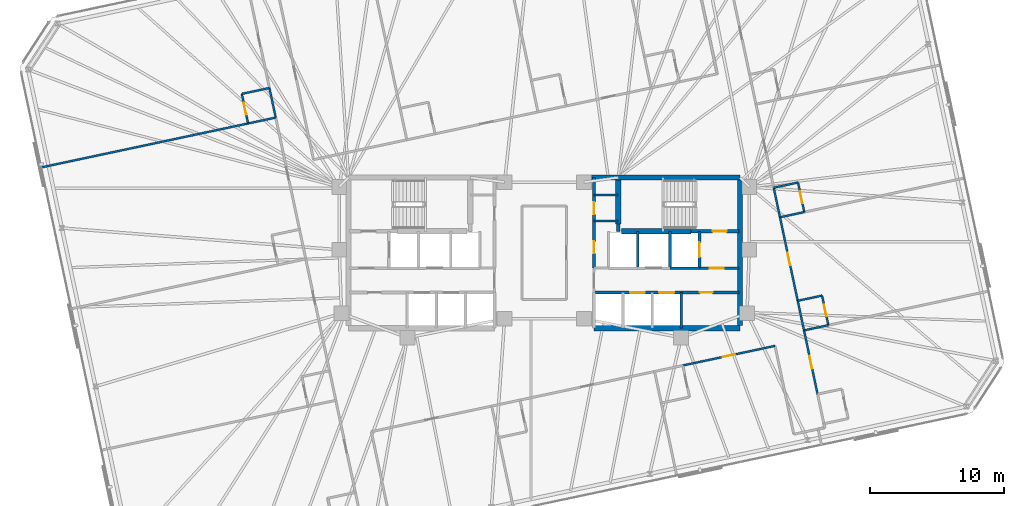
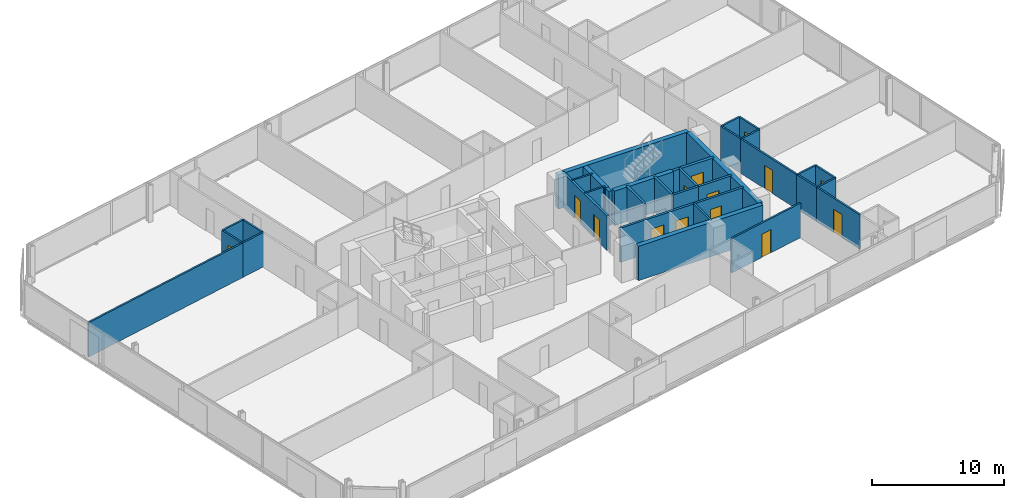
# One storey, part 16 of 19: 33 walls, 14 doors, 14 openings.
"""IFC4 building model written with IfcOpenShell, lengths in metres."""

from ifc_helpers import new_model, si_unit, direction, frame, frame_2d, origin, place, context, subcontext, project, spatial, rectangle, extrude, material, layer, layer_set, type_object, element, fill, save


model = new_model("IFC4")

# Units and contexts
model_context = context("Model", 3, precision=1e-05, world=origin(), true_north=direction((0.0, 1.0)))
body_context = subcontext(model_context, "Body", "Model", "MODEL_VIEW")
ifc_project = project(units=[si_unit("LENGTHUNIT", "METRE"), si_unit("AREAUNIT", "SQUARE_METRE"), si_unit("VOLUMEUNIT", "CUBIC_METRE"), si_unit("PLANEANGLEUNIT", "RADIAN"), si_unit("MASSUNIT", "GRAM", prefix="KILO")], contexts=[model_context])

# Site, building, storey
site_placement = place(None, origin())
site = spatial("IfcSite", under=ifc_project, at=site_placement, CompositionType="ELEMENT")
building_placement = place(site_placement, origin())
building = spatial("IfcBuilding", under=site, at=building_placement, Name="Menara Jurai Vektor", CompositionType="ELEMENT")
storey_placement = place(building_placement, frame((0.0, 0.0, 195.60009765625)))
storey = spatial("IfcBuildingStorey", under=building, at=storey_placement, Name="L51", CompositionType="ELEMENT", Elevation=195.60009765625)

# Wall, opening, door
ifc_material_1 = material(Name="Concrete C40/50", Category="concrete")
ifc_layer_1 = layer(ifc_material_1, 0.25)
ifc_layer_set_1 = layer_set([ifc_layer_1], Name="Concrete C40/50")
wall_type_1 = type_object("IfcWallType", Name="INT-WALL-CORE-250", PredefinedType="STANDARD", material=ifc_layer_set_1)
wall_1_placement = place(storey_placement, frame((10.89990234375, 1.60009765625, 0.0), z_axis=(0.0, 0.0, 1.0), x_axis=(1.0, 0.0, 0.0)))
wall_1 = element("IfcWall", 1, at=wall_1_placement, inside=storey, type_object=wall_type_1, Name="Interior Wall IW-250 L51", PredefinedType="STANDARD", context=body_context, shape_type="SweptSolid", body=[
    extrude(rectangle(XDim=3.60009765625, YDim=0.25, at=frame_2d((1.800048828125, 0.0))), origin(), (0.0, 0.0, 1.0), 3.1748046875),
])
opening_1_placement = place(wall_1_placement, frame((1.6201171875, 0.0, 0.0)))
opening_1 = element("IfcOpeningElement", 2, at=opening_1_placement, cuts=wall_1, Name="Opening D-L51-ST2", PredefinedType="OPENING", context=body_context, shape_type="SweptSolid", body=[
    extrude(rectangle(XDim=1.050048828125, YDim=2.14990234375, at=frame_2d((0.52490234375, 1.074951171875))), frame((0.0, 0.135009765625, 0.0), z_axis=(0.0, -1.0, 0.0), x_axis=(1.0, 0.0, 0.0)), (0.0, 0.0, 1.0), 0.27001953125),
])
ifc_material_2 = material(Name="Fire-Rated Steel Door", Category="steel")
door_type_1 = type_object("IfcDoorType", Name="DR-STAIR-1050", OperationType="NOTDEFINED", PredefinedType="DOOR", material=ifc_material_2)
door_1_placement = place(opening_1_placement, origin())
door_1 = element("IfcDoor", 3, at=door_1_placement, inside=storey, type_object=door_type_1, Name="Exit Stair ST2 Door L51", OperationType="SINGLE_SWING_LEFT", OverallHeight=2.14990234375, OverallWidth=1.050048828125, PredefinedType="DOOR", context=body_context, shape_type="SweptSolid", body=[
    extrude(rectangle(XDim=1.050048828125, YDim=2.14990234375, at=frame_2d((0.52490234375, 1.074951171875))), frame((0.0, 0.02490234375, 0.0), z_axis=(0.0, -1.0, 0.0), x_axis=(1.0, 0.0, 0.0)), (0.0, 0.0, 1.0), 0.050048828125),
])
fill(opening_1, door_1)

# Wall
wall_2_placement = place(storey_placement, frame((5.5, 1.60009765625, 0.0), z_axis=(0.0, 0.0, 1.0), x_axis=(0.0, 1.0, 0.0)))
element("IfcWall", 4, at=wall_2_placement, inside=storey, type_object=wall_type_1, Name="Interior Wall IW-250 L51", PredefinedType="STANDARD", context=body_context, shape_type="SweptSolid", body=[
    extrude(rectangle(XDim=0.5498046875, YDim=0.25, at=frame_2d((0.27490234375, 0.0))), origin(), (0.0, 0.0, 1.0), 3.1748046875),
])

# Wall, opening, door
wall_3_placement = place(storey_placement, frame((11.550048828125, -1.14990234375, 0.0), z_axis=(0.0, 0.0, 1.0), x_axis=(0.0, 1.0, 0.0)))
wall_3 = element("IfcWall", 5, at=wall_3_placement, inside=storey, type_object=wall_type_1, Name="Interior Wall IW-250 L51", PredefinedType="STANDARD", context=body_context, shape_type="SweptSolid", body=[
    extrude(rectangle(XDim=2.75, YDim=0.199951171875, at=frame_2d((1.375, 0.0))), origin(), (0.0, 0.0, 1.0), 3.1748046875),
])
opening_2_placement = place(wall_3_placement, frame((0.824951171875, 0.0, 0.0)))
opening_2 = element("IfcOpeningElement", 6, at=opening_2_placement, cuts=wall_3, Name="Opening LD-L51-FL2", PredefinedType="OPENING", context=body_context, shape_type="SweptSolid", body=[
    extrude(rectangle(XDim=1.10009765625, YDim=2.14990234375, at=frame_2d((0.550048828125, 1.074951171875))), frame((0.0, 0.10986328125, 0.0), z_axis=(0.0, -1.0, 0.0), x_axis=(1.0, 0.0, 0.0)), (0.0, 0.0, 1.0), 0.219970703125),
])
ifc_material_3 = material(Name="Stainless Steel Sliding Lift Landing Door", Category="steel")
door_type_2 = type_object("IfcDoorType", Name="DR-LIFT-FIRE-1100", OperationType="NOTDEFINED", PredefinedType="DOOR", material=ifc_material_3)
door_2_placement = place(opening_2_placement, origin())
door_2 = element("IfcDoor", 7, at=door_2_placement, inside=storey, type_object=door_type_2, Name="Lift Landing Door FL2 L51", OperationType="SLIDING_TO_RIGHT", OverallHeight=2.14990234375, OverallWidth=1.10009765625, PredefinedType="DOOR", context=body_context, shape_type="SweptSolid", body=[
    extrude(rectangle(XDim=1.10009765625, YDim=2.14990234375, at=frame_2d((0.550048828125, 1.074951171875))), frame((0.0, 0.02490234375, 0.0), z_axis=(0.0, -1.0, 0.0), x_axis=(1.0, 0.0, 0.0)), (0.0, 0.0, 1.0), 0.050048828125),
])
fill(opening_2, door_2)

# Wall
wall_4_placement = place(storey_placement, frame((9.35009765625, -1.14990234375, 0.0), z_axis=(0.0, 0.0, 1.0), x_axis=(0.0, 1.0, 0.0)))
element("IfcWall", 8, at=wall_4_placement, inside=storey, type_object=wall_type_1, Name="Interior Wall IW-250 L51", PredefinedType="STANDARD", context=body_context, shape_type="SweptSolid", body=[
    extrude(rectangle(XDim=2.75, YDim=0.199951171875, at=frame_2d((1.375, 0.0))), origin(), (0.0, 0.0, 1.0), 3.1748046875),
])

# Wall, opening, door
wall_5_placement = place(storey_placement, frame((11.550048828125, -1.14990234375, 0.0), z_axis=(0.0, 0.0, 1.0), x_axis=(1.0, 0.0, 0.0)))
wall_5 = element("IfcWall", 9, at=wall_5_placement, inside=storey, type_object=wall_type_1, Name="Interior Wall IW-250 L51", PredefinedType="STANDARD", context=body_context, shape_type="SweptSolid", body=[
    extrude(rectangle(XDim=2.949951171875, YDim=0.199951171875, at=frame_2d((1.47509765625, 0.0))), origin(), (0.0, 0.0, 1.0), 3.1748046875),
])
opening_3_placement = place(wall_5_placement, frame((0.75, 0.0, 0.0)))
opening_3 = element("IfcOpeningElement", 10, at=opening_3_placement, cuts=wall_5, Name="Opening D-L51-FFE", PredefinedType="OPENING", context=body_context, shape_type="SweptSolid", body=[
    extrude(rectangle(XDim=1.050048828125, YDim=2.179931640625, at=frame_2d((0.52490234375, 1.08984375))), frame((0.0, 0.10986328125, 0.0), z_axis=(0.0, -1.0, 0.0), x_axis=(1.0, 0.0, 0.0)), (0.0, 0.0, 1.0), 0.219970703125),
])
ifc_material_4 = material(Name="Fire-Rated Timber Door", Category="wood")
door_type_3 = type_object("IfcDoorType", Name="DR-LOBBY-1050", OperationType="NOTDEFINED", PredefinedType="DOOR", material=ifc_material_4)
door_3_placement = place(opening_3_placement, origin())
door_3 = element("IfcDoor", 11, at=door_3_placement, inside=storey, type_object=door_type_3, Name="Fire Lift Lobby Door E L51", OperationType="SINGLE_SWING_LEFT", OverallHeight=2.179931640625, OverallWidth=1.050048828125, PredefinedType="DOOR", context=body_context, shape_type="SweptSolid", body=[
    extrude(rectangle(XDim=1.050048828125, YDim=2.179931640625, at=frame_2d((0.52490234375, 1.08984375))), frame((0.0, 0.02490234375, 0.0), z_axis=(0.0, -1.0, 0.0), x_axis=(1.0, 0.0, 0.0)), (0.0, 0.0, 1.0), 0.050048828125),
])
fill(opening_3, door_3)

# Walls
wall_6_placement = place(storey_placement, frame((9.35009765625, -1.14990234375, 0.0), z_axis=(0.0, 0.0, 1.0), x_axis=(1.0, 0.0, 0.0)))
element("IfcWall", 12, at=wall_6_placement, inside=storey, type_object=wall_type_1, Name="Interior Wall IW-250 L51", PredefinedType="STANDARD", context=body_context, shape_type="SweptSolid", body=[
    extrude(rectangle(XDim=2.199951171875, YDim=0.199951171875, at=frame_2d((1.10009765625, 0.0))), origin(), (0.0, 0.0, 1.0), 3.1748046875),
])
ifc_material_5 = material(Name="Gypsum Fireboard Partition", Category="gypsum")
ifc_layer_2 = layer(ifc_material_5, 0.14990234375)
ifc_layer_set_2 = layer_set([ifc_layer_2], Name="Gypsum Fireboard Partition")
wall_type_2 = type_object("IfcWallType", Name="INT-WALL-CORR-150", PredefinedType="PARTITIONING", material=ifc_layer_set_2)
for number, where, z_axis, x_axis, name in (
    (13, (3.699951171875, 4.300048828125, 0.0), (0.0, 0.0, 1.0), (1.0, 0.0, 0.0), "Interior Wall IW-150 L51"),
    (14, (3.699951171875, 2.35009765625, 0.0), (0.0, 0.0, 1.0), (1.0, 0.0, 0.0), "Interior Wall IW-150 L51"),
):
    element("IfcWall", number, at=place(storey_placement, frame(where, z_axis=z_axis, x_axis=x_axis)), inside=storey, type_object=wall_type_2, Name=name, PredefinedType="PARTITIONING", context=body_context, shape_type="SweptSolid", body=[
        extrude(rectangle(XDim=1.800048828125, YDim=0.14990234375, at=frame_2d((0.89990234375, 0.0))), origin(), (0.0, 0.0, 1.0), 3.1748046875),
    ])

# Wall, opening, door
wall_7_placement = place(storey_placement, frame((10.30859375, -8.382080078125, 0.0), z_axis=(0.0, 0.0, 1.0), x_axis=(0.978149817889, 0.207901259648, 0.0)))
wall_7 = element("IfcWall", 15, at=wall_7_placement, inside=storey, type_object=wall_type_2, Name="Interior Wall IW-150 L51", PredefinedType="PARTITIONING", context=body_context, shape_type="SweptSolid", body=[
    extrude(rectangle(XDim=7.007080078125, YDim=0.14990234375, at=frame_2d((3.50341796875, 0.0))), origin(), (0.0, 0.0, 1.0), 3.1748046875),
])
opening_4_placement = place(wall_7_placement, frame((3.04345703125, 0.0, 0.0)))
opening_4 = element("IfcOpeningElement", 16, at=opening_4_placement, cuts=wall_7, Name="Opening D51-17", PredefinedType="OPENING", context=body_context, shape_type="SweptSolid", body=[
    extrude(rectangle(XDim=0.919921875, YDim=2.14990234375, at=frame_2d((0.4599609375, 1.074951171875))), frame((0.0, 0.0849609375, 0.0), z_axis=(0.0, -1.0, 0.0), x_axis=(1.0, 0.0, 0.0)), (0.0, 0.0, 1.0), 0.169921875),
])
ifc_material_6 = material(Name="Solid Core Timber Fire Door", Category="wood")
door_type_4 = type_object("IfcDoorType", Name="DR-ENTRY-950", OperationType="NOTDEFINED", PredefinedType="DOOR", material=ifc_material_6)
door_4_placement = place(opening_4_placement, origin())
door_4 = element("IfcDoor", 17, at=door_4_placement, inside=storey, type_object=door_type_4, Name="Interior Door D51-17", OperationType="SINGLE_SWING_RIGHT", OverallHeight=2.14990234375, OverallWidth=0.919921875, PredefinedType="DOOR", context=body_context, shape_type="SweptSolid", body=[
    extrude(rectangle(XDim=0.919921875, YDim=2.14990234375, at=frame_2d((0.4599609375, 1.074951171875))), frame((0.0, 0.02490234375, 0.0), z_axis=(0.0, -1.0, 0.0), x_axis=(1.0, 0.0, 0.0)), (0.0, 0.0, 1.0), 0.050048828125),
])
fill(opening_4, door_4)

# Wall
wall_8_placement = place(storey_placement, frame((-19.974365234375, 10.0546875, 0.0), z_axis=(0.0, 0.0, 1.0), x_axis=(-0.207913264065, 0.978147266328, 0.0)))
element("IfcWall", 18, at=wall_8_placement, inside=storey, type_object=wall_type_2, Name="Interior Wall IW-150 L51", PredefinedType="PARTITIONING", context=body_context, shape_type="SweptSolid", body=[
    extrude(rectangle(XDim=2.249755859375, YDim=0.14990234375, at=frame_2d((1.125, 0.0))), origin(), (0.0, 0.0, 1.0), 3.1748046875),
])

# Wall, opening, door
wall_9_placement = place(storey_placement, frame((20.328125, -10.515380859375, 0.0), z_axis=(0.0, 0.0, 1.0), x_axis=(-0.207950868925, 0.97813927235, 0.0)))
wall_9 = element("IfcWall", 19, at=wall_9_placement, inside=storey, type_object=wall_type_2, Name="Interior Wall IW-150 L51", PredefinedType="PARTITIONING", context=body_context, shape_type="SweptSolid", body=[
    extrude(rectangle(XDim=4.849853515625, YDim=0.14990234375, at=frame_2d((2.4248046875, 0.0))), origin(), (0.0, 0.0, 1.0), 3.1748046875),
])
opening_5_placement = place(wall_9_placement, frame((1.949951171875, 0.0, 0.0)))
opening_5 = element("IfcOpeningElement", 20, at=opening_5_placement, cuts=wall_9, Name="Opening D51-27", PredefinedType="OPENING", context=body_context, shape_type="SweptSolid", body=[
    extrude(rectangle(XDim=0.949951171875, YDim=2.14990234375, at=frame_2d((0.47509765625, 1.074951171875))), frame((0.0, 0.0849609375, 0.0), z_axis=(0.0, -1.0, 0.0), x_axis=(1.0, 0.0, 0.0)), (0.0, 0.0, 1.0), 0.169921875),
])
door_5_placement = place(opening_5_placement, origin())
door_5 = element("IfcDoor", 21, at=door_5_placement, inside=storey, type_object=door_type_4, Name="Interior Door D51-27", OperationType="SINGLE_SWING_RIGHT", OverallHeight=2.14990234375, OverallWidth=0.949951171875, PredefinedType="DOOR", context=body_context, shape_type="SweptSolid", body=[
    extrude(rectangle(XDim=0.949951171875, YDim=2.14990234375, at=frame_2d((0.47509765625, 1.074951171875))), frame((0.0, 0.02490234375, 0.0), z_axis=(0.0, -1.0, 0.0), x_axis=(1.0, 0.0, 0.0)), (0.0, 0.0, 1.0), 0.050048828125),
])
fill(opening_5, door_5)

wall_10_placement = place(storey_placement, frame((18.851806640625, -3.57080078125, 0.0), z_axis=(0.0, 0.0, 1.0), x_axis=(-0.207879907349, 0.978154355979, 0.0)))
wall_10 = element("IfcWall", 22, at=wall_10_placement, inside=storey, type_object=wall_type_2, Name="Interior Wall IW-150 L51", PredefinedType="PARTITIONING", context=body_context, shape_type="SweptSolid", body=[
    extrude(rectangle(XDim=6.35009765625, YDim=0.14990234375, at=frame_2d((3.175048828125, 0.0))), origin(), (0.0, 0.0, 1.0), 3.1748046875),
])
opening_6_placement = place(wall_10_placement, frame((2.699951171875, 0.0, 0.0)))
opening_6 = element("IfcOpeningElement", 23, at=opening_6_placement, cuts=wall_10, Name="Opening D51-29", PredefinedType="OPENING", context=body_context, shape_type="SweptSolid", body=[
    extrude(rectangle(XDim=0.949951171875, YDim=2.14990234375, at=frame_2d((0.47509765625, 1.074951171875))), frame((0.0, 0.0849609375, 0.0), z_axis=(0.0, -1.0, 0.0), x_axis=(1.0, 0.0, 0.0)), (0.0, 0.0, 1.0), 0.169921875),
])
door_6_placement = place(opening_6_placement, origin())
door_6 = element("IfcDoor", 24, at=door_6_placement, inside=storey, type_object=door_type_4, Name="Interior Door D51-29", OperationType="SINGLE_SWING_RIGHT", OverallHeight=2.14990234375, OverallWidth=0.949951171875, PredefinedType="DOOR", context=body_context, shape_type="SweptSolid", body=[
    extrude(rectangle(XDim=0.949951171875, YDim=2.14990234375, at=frame_2d((0.47509765625, 1.074951171875))), frame((0.0, 0.02490234375, 0.0), z_axis=(0.0, -1.0, 0.0), x_axis=(1.0, 0.0, 0.0)), (0.0, 0.0, 1.0), 0.050048828125),
])
fill(opening_6, door_6)

# Walls
for number, where, z_axis, x_axis, name in (
    (25, (19.319580078125, -5.771484375, 0.0), (0.0, 0.0, 1.0), (-0.207913264065, 0.978147266328, 0.0), "Interior Wall IW-150 L51"),
    (26, (17.53173828125, 2.640625, 0.0), (0.0, 0.0, 1.0), (-0.207913264065, 0.978147266328, 0.0), "Interior Wall IW-150 L51"),
):
    element("IfcWall", number, at=place(storey_placement, frame(where, z_axis=z_axis, x_axis=x_axis)), inside=storey, type_object=wall_type_2, Name=name, PredefinedType="PARTITIONING", context=body_context, shape_type="SweptSolid", body=[
        extrude(rectangle(XDim=2.249755859375, YDim=0.14990234375, at=frame_2d((1.125, 0.0))), origin(), (0.0, 0.0, 1.0), 3.1748046875),
    ])
wall_11_placement = place(storey_placement, frame((-37.403076171875, 6.35009765625, 0.0), z_axis=(0.0, 0.0, 1.0), x_axis=(0.978149296727, 0.207903711638, 0.0)))
element("IfcWall", 27, at=wall_11_placement, inside=storey, type_object=wall_type_2, Name="Interior Wall IW-150 L51", PredefinedType="PARTITIONING", context=body_context, shape_type="SweptSolid", body=[
    extrude(rectangle(XDim=15.718017578125, YDim=0.14990234375, at=frame_2d((7.85888671875, 0.0))), origin(), (0.0, 0.0, 1.0), 3.1748046875),
])
wall_12_placement = place(storey_placement, frame((-22.028564453125, 9.617919921875, 0.0), z_axis=(0.0, 0.0, 1.0), x_axis=(0.978134617382, 0.207972763311, 0.0)))
element("IfcWall", 28, at=wall_12_placement, inside=storey, type_object=wall_type_2, Name="Interior Wall IW-150 L51", PredefinedType="PARTITIONING", context=body_context, shape_type="SweptSolid", body=[
    extrude(rectangle(XDim=2.10009765625, YDim=0.14990234375, at=frame_2d((1.050048828125, 0.0))), origin(), (0.0, 0.0, 1.0), 3.1748046875),
])

# Wall, opening, door
wall_13_placement = place(storey_placement, frame((-22.028564453125, 9.617919921875, 0.0), z_axis=(0.0, 0.0, 1.0), x_axis=(-0.207891197838, 0.978151956427, 0.0)))
wall_13 = element("IfcWall", 29, at=wall_13_placement, inside=storey, type_object=wall_type_2, Name="Interior Wall IW-150 L51", PredefinedType="PARTITIONING", context=body_context, shape_type="SweptSolid", body=[
    extrude(rectangle(XDim=2.25, YDim=0.14990234375, at=frame_2d((1.125, 0.0))), origin(), (0.0, 0.0, 1.0), 3.1748046875),
])
opening_7_placement = place(wall_13_placement, frame((0.68505859375, 0.0, 0.0)))
opening_7 = element("IfcOpeningElement", 30, at=opening_7_placement, cuts=wall_13, Name="Opening D51-26", PredefinedType="OPENING", context=body_context, shape_type="SweptSolid", body=[
    extrude(rectangle(XDim=0.8798828125, YDim=2.14990234375, at=frame_2d((0.43994140625, 1.074951171875))), frame((0.0, 0.0849609375, 0.0), z_axis=(0.0, -1.0, 0.0), x_axis=(1.0, 0.0, 0.0)), (0.0, 0.0, 1.0), 0.169921875),
])
ifc_material_7 = material(Name="Moisture-Resistant Timber Door", Category="wood")
door_type_5 = type_object("IfcDoorType", Name="DR-BATH-880", OperationType="NOTDEFINED", PredefinedType="DOOR", material=ifc_material_7)
door_7_placement = place(opening_7_placement, origin())
door_7 = element("IfcDoor", 31, at=door_7_placement, inside=storey, type_object=door_type_5, Name="Interior Door D51-26", OperationType="SINGLE_SWING_LEFT", OverallHeight=2.14990234375, OverallWidth=0.8798828125, PredefinedType="DOOR", context=body_context, shape_type="SweptSolid", body=[
    extrude(rectangle(XDim=0.8798828125, YDim=2.14990234375, at=frame_2d((0.43994140625, 1.074951171875))), frame((0.0, 0.02490234375, 0.0), z_axis=(0.0, -1.0, 0.0), x_axis=(1.0, 0.0, 0.0)), (0.0, 0.0, 1.0), 0.050048828125),
])
fill(opening_7, door_7)

# Walls
wall_14_placement = place(storey_placement, frame((-22.496337890625, 11.81884765625, 0.0), z_axis=(0.0, 0.0, 1.0), x_axis=(0.97815826, 0.207861536591, 0.0)))
element("IfcWall", 32, at=wall_14_placement, inside=storey, type_object=wall_type_2, Name="Interior Wall IW-150 L51", PredefinedType="PARTITIONING", context=body_context, shape_type="SweptSolid", body=[
    extrude(rectangle(XDim=2.10009765625, YDim=0.14990234375, at=frame_2d((1.050048828125, 0.0))), origin(), (0.0, 0.0, 1.0), 3.1748046875),
])
wall_15_placement = place(storey_placement, frame((19.319580078125, -5.771484375, 0.0), z_axis=(0.0, 0.0, 1.0), x_axis=(0.978165892835, 0.207825614625, 0.0)))
element("IfcWall", 33, at=wall_15_placement, inside=storey, type_object=wall_type_2, Name="Interior Wall IW-150 L51", PredefinedType="PARTITIONING", context=body_context, shape_type="SweptSolid", body=[
    extrude(rectangle(XDim=1.85009765625, YDim=0.14990234375, at=frame_2d((0.925048828125, 0.0))), origin(), (0.0, 0.0, 1.0), 3.1748046875),
])
wall_16_placement = place(storey_placement, frame((18.851806640625, -3.57080078125, 0.0), z_axis=(0.0, 0.0, 1.0), x_axis=(0.978139061018, 0.207951862966, 0.0)))
element("IfcWall", 34, at=wall_16_placement, inside=storey, type_object=wall_type_2, Name="Interior Wall IW-150 L51", PredefinedType="PARTITIONING", context=body_context, shape_type="SweptSolid", body=[
    extrude(rectangle(XDim=1.850341796875, YDim=0.14990234375, at=frame_2d((0.92529296875, 0.0))), origin(), (0.0, 0.0, 1.0), 3.1748046875),
])

# Wall, opening, door
wall_17_placement = place(storey_placement, frame((21.12939453125, -5.386962890625, 0.0), z_axis=(0.0, 0.0, 1.0), x_axis=(-0.207891197838, 0.978151956427, 0.0)))
wall_17 = element("IfcWall", 35, at=wall_17_placement, inside=storey, type_object=wall_type_2, Name="Interior Wall IW-150 L51", PredefinedType="PARTITIONING", context=body_context, shape_type="SweptSolid", body=[
    extrude(rectangle(XDim=2.25, YDim=0.14990234375, at=frame_2d((1.125, 0.0))), origin(), (0.0, 0.0, 1.0), 3.1748046875),
])
opening_8_placement = place(wall_17_placement, frame((0.68505859375, 0.0, 0.0)))
opening_8 = element("IfcOpeningElement", 36, at=opening_8_placement, cuts=wall_17, Name="Opening D51-30", PredefinedType="OPENING", context=body_context, shape_type="SweptSolid", body=[
    extrude(rectangle(XDim=0.8798828125, YDim=2.14990234375, at=frame_2d((0.43994140625, 1.074951171875))), frame((0.0, 0.0849609375, 0.0), z_axis=(0.0, -1.0, 0.0), x_axis=(1.0, 0.0, 0.0)), (0.0, 0.0, 1.0), 0.169921875),
])
door_8_placement = place(opening_8_placement, origin())
door_8 = element("IfcDoor", 37, at=door_8_placement, inside=storey, type_object=door_type_5, Name="Interior Door D51-30", OperationType="SINGLE_SWING_LEFT", OverallHeight=2.14990234375, OverallWidth=0.8798828125, PredefinedType="DOOR", context=body_context, shape_type="SweptSolid", body=[
    extrude(rectangle(XDim=0.8798828125, YDim=2.14990234375, at=frame_2d((0.43994140625, 1.074951171875))), frame((0.0, 0.02490234375, 0.0), z_axis=(0.0, -1.0, 0.0), x_axis=(1.0, 0.0, 0.0)), (0.0, 0.0, 1.0), 0.050048828125),
])
fill(opening_8, door_8)

# Walls
wall_18_placement = place(storey_placement, frame((17.53173828125, 2.640625, 0.0), z_axis=(0.0, 0.0, 1.0), x_axis=(0.978160192495, 0.207852442415, 0.0)))
element("IfcWall", 38, at=wall_18_placement, inside=storey, type_object=wall_type_2, Name="Interior Wall IW-150 L51", PredefinedType="PARTITIONING", context=body_context, shape_type="SweptSolid", body=[
    extrude(rectangle(XDim=1.849853515625, YDim=0.14990234375, at=frame_2d((0.9248046875, 0.0))), origin(), (0.0, 0.0, 1.0), 3.1748046875),
])
wall_19_placement = place(storey_placement, frame((17.06396484375, 4.84130859375, 0.0), z_axis=(0.0, 0.0, 1.0), x_axis=(0.978133353907, 0.20797870558, 0.0)))
element("IfcWall", 39, at=wall_19_placement, inside=storey, type_object=wall_type_2, Name="Interior Wall IW-150 L51", PredefinedType="PARTITIONING", context=body_context, shape_type="SweptSolid", body=[
    extrude(rectangle(XDim=1.85009765625, YDim=0.14990234375, at=frame_2d((0.925048828125, 0.0))), origin(), (0.0, 0.0, 1.0), 3.1748046875),
])

# Wall, opening, door
wall_20_placement = place(storey_placement, frame((19.34130859375, 3.025146484375, 0.0), z_axis=(0.0, 0.0, 1.0), x_axis=(-0.207891197838, 0.978151956427, 0.0)))
wall_20 = element("IfcWall", 40, at=wall_20_placement, inside=storey, type_object=wall_type_2, Name="Interior Wall IW-150 L51", PredefinedType="PARTITIONING", context=body_context, shape_type="SweptSolid", body=[
    extrude(rectangle(XDim=2.25, YDim=0.14990234375, at=frame_2d((1.125, 0.0))), origin(), (0.0, 0.0, 1.0), 3.1748046875),
])
opening_9_placement = place(wall_20_placement, frame((0.68505859375, 0.0, 0.0)))
opening_9 = element("IfcOpeningElement", 41, at=opening_9_placement, cuts=wall_20, Name="Opening D51-32", PredefinedType="OPENING", context=body_context, shape_type="SweptSolid", body=[
    extrude(rectangle(XDim=0.8798828125, YDim=2.14990234375, at=frame_2d((0.43994140625, 1.074951171875))), frame((0.0, 0.0849609375, 0.0), z_axis=(0.0, -1.0, 0.0), x_axis=(1.0, 0.0, 0.0)), (0.0, 0.0, 1.0), 0.169921875),
])
door_9_placement = place(opening_9_placement, origin())
door_9 = element("IfcDoor", 42, at=door_9_placement, inside=storey, type_object=door_type_5, Name="Interior Door D51-32", OperationType="SINGLE_SWING_LEFT", OverallHeight=2.14990234375, OverallWidth=0.8798828125, PredefinedType="DOOR", context=body_context, shape_type="SweptSolid", body=[
    extrude(rectangle(XDim=0.8798828125, YDim=2.14990234375, at=frame_2d((0.43994140625, 1.074951171875))), frame((0.0, 0.02490234375, 0.0), z_axis=(0.0, -1.0, 0.0), x_axis=(1.0, 0.0, 0.0)), (0.0, 0.0, 1.0), 0.050048828125),
])
fill(opening_9, door_9)

# Wall, openings, doors
ifc_layer_3 = layer(ifc_material_1, 0.199951171875)
ifc_layer_set_3 = layer_set([ifc_layer_3], Name="Concrete C40/50")
wall_type_3 = type_object("IfcWallType", Name="INT-WALL-SHAFT-200", PredefinedType="STANDARD", material=ifc_layer_set_3)
wall_21_placement = place(storey_placement, frame((3.699951171875, -1.14990234375, 0.0), z_axis=(0.0, 0.0, 1.0), x_axis=(0.0, 1.0, 0.0)))
wall_21 = element("IfcWall", 43, at=wall_21_placement, inside=storey, type_object=wall_type_3, Name="Interior Wall IW-200 L51", PredefinedType="STANDARD", context=body_context, shape_type="SweptSolid", body=[
    extrude(rectangle(XDim=6.75, YDim=0.199951171875, at=frame_2d((3.375, 0.0))), origin(), (0.0, 0.0, 1.0), 3.1748046875),
])
opening_10_placement = place(wall_21_placement, frame((1.10009765625, 0.0, 0.0)))
opening_10 = element("IfcOpeningElement", 44, at=opening_10_placement, cuts=wall_21, Name="Opening D51-04", PredefinedType="OPENING", context=body_context, shape_type="SweptSolid", body=[
    extrude(rectangle(XDim=0.89990234375, YDim=2.14990234375, at=frame_2d((0.449951171875, 1.074951171875))), frame((0.0, 0.10986328125, 0.0), z_axis=(0.0, -1.0, 0.0), x_axis=(1.0, 0.0, 0.0)), (0.0, 0.0, 1.0), 0.219970703125),
])
opening_11_placement = place(wall_21_placement, frame((4.0, 0.0, 0.0)))
opening_11 = element("IfcOpeningElement", 45, at=opening_11_placement, cuts=wall_21, Name="Opening D51-05", PredefinedType="OPENING", context=body_context, shape_type="SweptSolid", body=[
    extrude(rectangle(XDim=0.919921875, YDim=2.14990234375, at=frame_2d((0.4599609375, 1.074951171875))), frame((0.0, 0.10986328125, 0.0), z_axis=(0.0, -1.0, 0.0), x_axis=(1.0, 0.0, 0.0)), (0.0, 0.0, 1.0), 0.219970703125),
])
door_10_placement = place(opening_10_placement, origin())
door_10 = element("IfcDoor", 46, at=door_10_placement, inside=storey, type_object=door_type_4, Name="Interior Door D51-04", OperationType="SINGLE_SWING_RIGHT", OverallHeight=2.14990234375, OverallWidth=0.89990234375, PredefinedType="DOOR", context=body_context, shape_type="SweptSolid", body=[
    extrude(rectangle(XDim=0.89990234375, YDim=2.14990234375, at=frame_2d((0.449951171875, 1.074951171875))), frame((0.0, 0.02490234375, 0.0), z_axis=(0.0, -1.0, 0.0), x_axis=(1.0, 0.0, 0.0)), (0.0, 0.0, 1.0), 0.050048828125),
])
fill(opening_10, door_10)
door_11_placement = place(opening_11_placement, origin())
door_11 = element("IfcDoor", 47, at=door_11_placement, inside=storey, type_object=door_type_4, Name="Interior Door D51-05", OperationType="SINGLE_SWING_RIGHT", OverallHeight=2.14990234375, OverallWidth=0.919921875, PredefinedType="DOOR", context=body_context, shape_type="SweptSolid", body=[
    extrude(rectangle(XDim=0.919921875, YDim=2.14990234375, at=frame_2d((0.4599609375, 1.074951171875))), frame((0.0, 0.02490234375, 0.0), z_axis=(0.0, -1.0, 0.0), x_axis=(1.0, 0.0, 0.0)), (0.0, 0.0, 1.0), 0.050048828125),
])
fill(opening_11, door_11)

# Wall
wall_22_placement = place(storey_placement, frame((6.949951171875, -1.14990234375, 0.0), z_axis=(0.0, 0.0, 1.0), x_axis=(0.0, 1.0, 0.0)))
element("IfcWall", 48, at=wall_22_placement, inside=storey, type_object=wall_type_3, Name="Interior Wall IW-200 L51", PredefinedType="STANDARD", context=body_context, shape_type="SweptSolid", body=[
    extrude(rectangle(XDim=2.75, YDim=0.199951171875, at=frame_2d((1.375, 0.0))), origin(), (0.0, 0.0, 1.0), 3.1748046875),
])

# Wall, openings, doors
wall_23_placement = place(storey_placement, frame((3.699951171875, -2.949951171875, 0.0), z_axis=(0.0, 0.0, 1.0), x_axis=(1.0, 0.0, 0.0)))
wall_23 = element("IfcWall", 49, at=wall_23_placement, inside=storey, type_object=wall_type_3, Name="Interior Wall IW-200 L51", PredefinedType="STANDARD", context=body_context, shape_type="SweptSolid", body=[
    extrude(rectangle(XDim=10.800048828125, YDim=0.199951171875, at=frame_2d((5.39990234375, 0.0))), origin(), (0.0, 0.0, 1.0), 3.1748046875),
])
opening_12_placement = place(wall_23_placement, frame((2.68994140625, 0.0, 0.0)))
opening_12 = element("IfcOpeningElement", 50, at=opening_12_placement, cuts=wall_23, Name="Opening LD-L51-PM3", PredefinedType="OPENING", context=body_context, shape_type="SweptSolid", body=[
    extrude(rectangle(XDim=1.10009765625, YDim=2.14990234375, at=frame_2d((0.550048828125, 1.074951171875))), frame((0.0, 0.10986328125, 0.0), z_axis=(0.0, -1.0, 0.0), x_axis=(1.0, 0.0, 0.0)), (0.0, 0.0, 1.0), 0.219970703125),
])
opening_13_placement = place(wall_23_placement, frame((4.85009765625, 0.0, 0.0)))
opening_13 = element("IfcOpeningElement", 51, at=opening_13_placement, cuts=wall_23, Name="Opening LD-L51-PM4", PredefinedType="OPENING", context=body_context, shape_type="SweptSolid", body=[
    extrude(rectangle(XDim=1.10009765625, YDim=2.14990234375, at=frame_2d((0.550048828125, 1.074951171875))), frame((0.0, 0.10986328125, 0.0), z_axis=(0.0, -1.0, 0.0), x_axis=(1.0, 0.0, 0.0)), (0.0, 0.0, 1.0), 0.219970703125),
])
opening_14_placement = place(wall_23_placement, frame((7.8798828125, 0.0, 0.0)))
opening_14 = element("IfcOpeningElement", 52, at=opening_14_placement, cuts=wall_23, Name="Opening D51-03", PredefinedType="OPENING", context=body_context, shape_type="SweptSolid", body=[
    extrude(rectangle(XDim=0.949951171875, YDim=2.14990234375, at=frame_2d((0.47509765625, 1.074951171875))), frame((0.0, 0.10986328125, 0.0), z_axis=(0.0, -1.0, 0.0), x_axis=(1.0, 0.0, 0.0)), (0.0, 0.0, 1.0), 0.219970703125),
])
door_12_placement = place(opening_14_placement, origin())
door_12 = element("IfcDoor", 53, at=door_12_placement, inside=storey, type_object=door_type_4, Name="Interior Door D51-03", OperationType="SINGLE_SWING_LEFT", OverallHeight=2.14990234375, OverallWidth=0.949951171875, PredefinedType="DOOR", context=body_context, shape_type="SweptSolid", body=[
    extrude(rectangle(XDim=0.949951171875, YDim=2.14990234375, at=frame_2d((0.47509765625, 1.074951171875))), frame((0.0, 0.02490234375, 0.0), z_axis=(0.0, -1.0, 0.0), x_axis=(1.0, 0.0, 0.0)), (0.0, 0.0, 1.0), 0.050048828125),
])
fill(opening_14, door_12)
ifc_material_8 = material(Name="Anodised Stainless Sliding Lift Landing Door", Category="steel")
door_type_6 = type_object("IfcDoorType", Name="DR-LIFT-PASS-1100", OperationType="NOTDEFINED", PredefinedType="DOOR", material=ifc_material_8)
door_13_placement = place(opening_12_placement, origin())
door_13 = element("IfcDoor", 54, at=door_13_placement, inside=storey, type_object=door_type_6, Name="Lift Landing Door PM3 L51", OperationType="SLIDING_TO_LEFT", OverallHeight=2.14990234375, OverallWidth=1.10009765625, PredefinedType="DOOR", context=body_context, shape_type="SweptSolid", body=[
    extrude(rectangle(XDim=1.10009765625, YDim=2.14990234375, at=frame_2d((0.550048828125, 1.074951171875))), frame((0.0, 0.02490234375, 0.0), z_axis=(0.0, -1.0, 0.0), x_axis=(1.0, 0.0, 0.0)), (0.0, 0.0, 1.0), 0.050048828125),
])
fill(opening_12, door_13)
door_14_placement = place(opening_13_placement, origin())
door_14 = element("IfcDoor", 55, at=door_14_placement, inside=storey, type_object=door_type_6, Name="Lift Landing Door PM4 L51", OperationType="SLIDING_TO_RIGHT", OverallHeight=2.14990234375, OverallWidth=1.10009765625, PredefinedType="DOOR", context=body_context, shape_type="SweptSolid", body=[
    extrude(rectangle(XDim=1.10009765625, YDim=2.14990234375, at=frame_2d((0.550048828125, 1.074951171875))), frame((0.0, 0.02490234375, 0.0), z_axis=(0.0, -1.0, 0.0), x_axis=(1.0, 0.0, 0.0)), (0.0, 0.0, 1.0), 0.050048828125),
])
fill(opening_13, door_14)

# Walls
wall_24_placement = place(storey_placement, frame((10.179931640625, -5.60009765625, 0.0), z_axis=(0.0, 0.0, 1.0), x_axis=(0.0, 1.0, 0.0)))
element("IfcWall", 56, at=wall_24_placement, inside=storey, type_object=wall_type_3, Name="Interior Wall IW-200 L51", PredefinedType="STANDARD", context=body_context, shape_type="SweptSolid", body=[
    extrude(rectangle(XDim=2.650146484375, YDim=0.179931640625, at=frame_2d((1.3251953125, 0.0))), origin(), (0.0, 0.0, 1.0), 3.1748046875),
])
ifc_material_9 = material(Name="Concrete C50/60", Category="concrete")
ifc_layer_4 = layer(ifc_material_9, 0.39990234375)
ifc_layer_set_4 = layer_set([ifc_layer_4], Name="Concrete C50/60")
wall_type_4 = type_object("IfcWallType", Name="STR-WALL-CORE400", PredefinedType="SHEAR", material=ifc_layer_set_4)
wall_25_placement = place(storey_placement, frame((3.14990234375, 5.60009765625, 0.0), z_axis=(0.0, 0.0, 1.0), x_axis=(1.0, 0.0, 0.0)))
element("IfcWall", 57, at=wall_25_placement, inside=storey, type_object=wall_type_4, Name="Core Shear Wall CW-E-N L51", PredefinedType="SHEAR", context=body_context, shape_type="SweptSolid", body=[
    extrude(rectangle(XDim=11.41015625, YDim=0.39990234375, at=frame_2d((5.705078125, 0.0))), origin(), (0.0, 0.0, 1.0), 3.1748046875),
])
wall_26_placement = place(storey_placement, frame((3.699951171875, -5.60009765625, 0.0), z_axis=(0.0, 0.0, 1.0), x_axis=(1.0, 0.0, 0.0)))
element("IfcWall", 58, at=wall_26_placement, inside=storey, type_object=wall_type_4, Name="Core Shear Wall CW-E-S L51", PredefinedType="SHEAR", context=body_context, shape_type="SweptSolid", body=[
    extrude(rectangle(XDim=10.860107421875, YDim=0.39990234375, at=frame_2d((5.43017578125, 0.0))), origin(), (0.0, 0.0, 1.0), 3.1748046875),
])
wall_27_placement = place(storey_placement, frame((14.56005859375, -5.39990234375, 0.0), z_axis=(0.0, 0.0, 1.0), x_axis=(0.0, 1.0, 0.0)))
element("IfcWall", 59, at=wall_27_placement, inside=storey, type_object=wall_type_4, Name="Core Shear Wall CW-E-E L51", PredefinedType="SHEAR", context=body_context, shape_type="SweptSolid", body=[
    extrude(rectangle(XDim=10.7998046875, YDim=0.39990234375, at=frame_2d((5.39990234375, 0.0))), origin(), (0.0, 0.0, 1.0), 3.1748046875),
])
wall_28_placement = place(storey_placement, frame((5.5, 2.14990234375, 0.0), z_axis=(0.0, 0.0, 1.0), x_axis=(0.0, 1.0, 0.0)))
element("IfcWall", 60, at=wall_28_placement, inside=storey, type_object=wall_type_4, Name="Core Shear Wall CW-E-ST L51", PredefinedType="SHEAR", context=body_context, shape_type="SweptSolid", body=[
    extrude(rectangle(XDim=3.25, YDim=0.39990234375, at=frame_2d((1.625, 0.0))), origin(), (0.0, 0.0, 1.0), 3.1748046875),
])
wall_29_placement = place(storey_placement, frame((5.75, 1.60009765625, 0.0), z_axis=(0.0, 0.0, 1.0), x_axis=(1.0, 0.0, 0.0)))
element("IfcWall", 61, at=wall_29_placement, inside=storey, type_object=wall_type_4, Name="Core Shear Wall CW-E-STS L51", PredefinedType="SHEAR", context=body_context, shape_type="SweptSolid", body=[
    extrude(rectangle(XDim=5.14990234375, YDim=0.39990234375, at=frame_2d((2.574951171875, 0.0))), origin(), (0.0, 0.0, 1.0), 3.1748046875),
])

save(model, "model.ifc")
